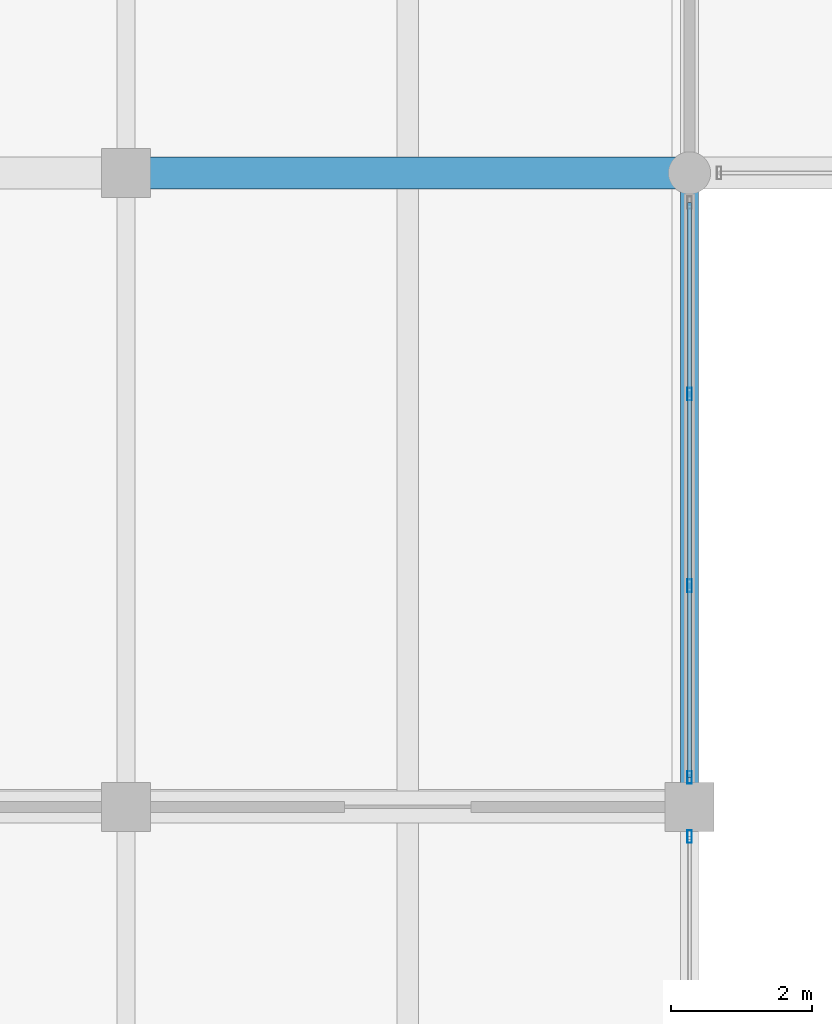
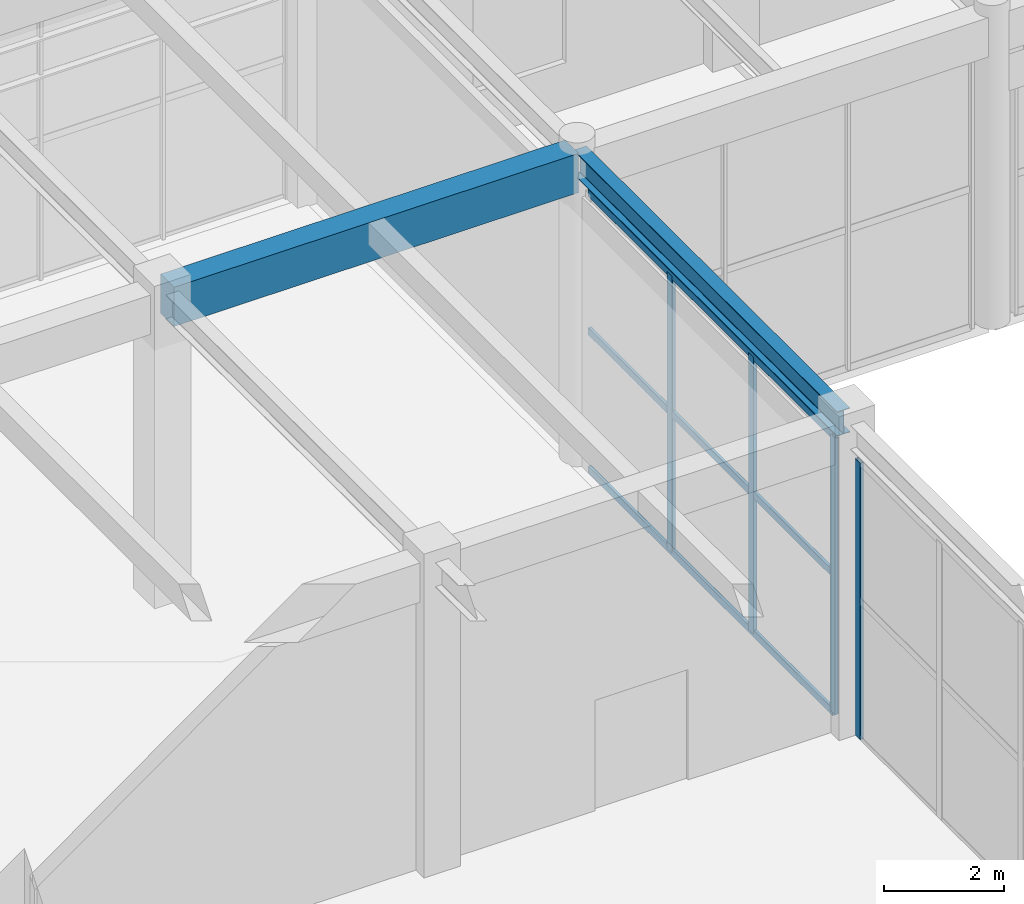
# One storey, part 34 of 163: 7 members, 2 beams, 2 elements without a shape of their own.
"""IFC4 building model written with IfcOpenShell, lengths in metres."""

from ifc_helpers import new_model, si_unit, direction, frame, origin, origin_2d, place, context, subcontext, project, spatial, rectangle, hollow_rectangle, i_section, extrude, material, material_profile, profile_set, type_object, element, aggregate, save


model = new_model("IFC4")

# Units and contexts
model_context = context("Model", 3, precision=1e-05, world=origin(), true_north=direction((0.0, 1.0)))
body_context = subcontext(model_context, "Body", "Model", "MODEL_VIEW")
ifc_project = project(units=[si_unit("LENGTHUNIT", "METRE"), si_unit("AREAUNIT", "SQUARE_METRE"), si_unit("VOLUMEUNIT", "CUBIC_METRE"), si_unit("PLANEANGLEUNIT", "RADIAN"), si_unit("MASSUNIT", "GRAM", prefix="KILO")], contexts=[model_context])

# Site, building, storey
site_placement = place(None, origin())
site = spatial("IfcSite", under=ifc_project, at=site_placement, CompositionType="ELEMENT")
building_placement = place(site_placement, origin())
building = spatial("IfcBuilding", under=site, at=building_placement, Name="Varnabhumi Central Station", CompositionType="ELEMENT")
storey_placement = place(building_placement, frame((0.0, 0.0, 9.60009765625)))
storey = spatial("IfcBuildingStorey", under=building, at=storey_placement, Name="L02", CompositionType="ELEMENT", Elevation=9.60009765625)

# Beams
ifc_material_1 = material(Name="Concrete M40", Category="concrete")
ifc_material_profile_1 = material_profile(ifc_material_1, rectangle(XDim=0.449951171875, YDim=0.800048828125, at=origin_2d()), Name="Concrete M40", Category="concrete")
ifc_profile_set_1 = profile_set([ifc_material_profile_1], Name="Concrete M40")
beam_type_1 = type_object("IfcBeamType", Name="BM-RC-450x800", PredefinedType="BEAM", material=ifc_profile_set_1)
beam_1_placement = place(storey_placement, frame((104.10009765625, 27.0, 5.949951171875), z_axis=(1.0, 0.0, 0.0), x_axis=(0.0, 1.0, 0.0)))
element("IfcBeam", 1, at=beam_1_placement, inside=storey, type_object=beam_type_1, Name="Beam L02-D:14-15", PredefinedType="BEAM", context=body_context, shape_type="SweptSolid", body=[
    extrude(rectangle(XDim=0.449951171875, YDim=0.800048828125, at=origin_2d()), origin(), (0.0, 0.0, 1.0), 7.7998046875),
])
ifc_material_2 = material(Name="Structural steel E350", Category="steel")
ifc_material_profile_2 = material_profile(ifc_material_2, i_section(OverallWidth=0.25, OverallDepth=0.5, WebThickness=0.010009765625, FlangeThickness=0.0146484375, FilletRadius=0.014892578125, at=origin_2d()), Name="Structural steel E350", Category="steel")
ifc_profile_set_2 = profile_set([ifc_material_profile_2], Name="Structural steel E350")
beam_type_2 = type_object("IfcBeamType", Name="BM-SEC-ISWB500", PredefinedType="BEAM", material=ifc_profile_set_2)
beam_2_placement = place(storey_placement, frame((112.0, 18.10009765625, 6.099853515625), z_axis=(0.0, 1.0, 0.0), x_axis=(-1.0, 0.0, 0.0)))
element("IfcBeam", 2, at=beam_2_placement, inside=storey, type_object=beam_type_2, Name="Beam L02-15:C-D", PredefinedType="BEAM", context=body_context, shape_type="SweptSolid", body=[
    extrude(i_section(OverallWidth=0.25, OverallDepth=0.5, WebThickness=0.010009765625, FlangeThickness=0.0146484375, FilletRadius=0.014892578125, at=origin_2d()), origin(), (0.0, 0.0, 1.0), 8.7998046875),
])

# Curtain wall, member
ifc_material_3 = material(Name="Anodised aluminium 6063-T6", Category="aluminium")
curtain_wall_type = type_object("IfcCurtainWallType", Name="CW-PATIO-LOGGIA-L2", PredefinedType="NOTDEFINED", material=ifc_material_3)
curtain_wall_1_placement = place(storey_placement, origin())
curtain_wall_1 = element("IfcCurtainWall", 3, at=curtain_wall_1_placement, inside=storey, type_object=curtain_wall_type, Name="Curtain Wall CW-SP2E1", PredefinedType="NOTDEFINED")
ifc_material_profile_3 = material_profile(ifc_material_3, hollow_rectangle(XDim=0.06494140625, YDim=0.179931640625, WallThickness=0.00390625, InnerFilletRadius=0.001953125, OuterFilletRadius=0.006103515625, at=origin_2d()), Name="Anodised aluminium 6063-T6", Category="aluminium")
ifc_profile_set_3 = profile_set([ifc_material_profile_3], Name="Anodised aluminium 6063-T6")
member_type_1 = type_object("IfcMemberType", Name="CW-MUL-180", PredefinedType="MULLION", material=ifc_profile_set_3)
member_1_placement = place(storey_placement, frame((112.0, 17.580078125, 0.0), z_axis=(0.0, 0.0, 1.0), x_axis=(1.0, 0.0, 0.0)))
member_1 = element("IfcMember", 4, at=member_1_placement, type_object=member_type_1, Name="Curtain Wall Mullion CW-SP2E1-M4", PredefinedType="MULLION", context=body_context, shape_type="SweptSolid", body=[
    extrude(hollow_rectangle(XDim=0.06494140625, YDim=0.179931640625, WallThickness=0.00390625, InnerFilletRadius=0.001953125, OuterFilletRadius=0.006103515625, at=origin_2d()), origin(), (0.0, 0.0, 1.0), 5.639892578125),
])
aggregate(curtain_wall_1, [member_1])

# Curtain wall, members
curtain_wall_2_placement = place(storey_placement, origin())
curtain_wall_2 = element("IfcCurtainWall", 5, at=curtain_wall_2_placement, inside=storey, type_object=curtain_wall_type, Name="Curtain Wall CW-SP2E2", PredefinedType="NOTDEFINED")
member_2_placement = place(storey_placement, frame((112.0, 18.419921875, 0.0), z_axis=(0.0, 0.0, 1.0), x_axis=(1.0, 0.0, 0.0)))
member_2 = element("IfcMember", 6, at=member_2_placement, type_object=member_type_1, Name="Curtain Wall Mullion CW-SP2E2-M1", PredefinedType="MULLION", context=body_context, shape_type="SweptSolid", body=[
    extrude(hollow_rectangle(XDim=0.06494140625, YDim=0.179931640625, WallThickness=0.00390625, InnerFilletRadius=0.001953125, OuterFilletRadius=0.006103515625, at=origin_2d()), origin(), (0.0, 0.0, 1.0), 5.639892578125),
])
member_3_placement = place(storey_placement, frame((112.0, 21.139892578125, 0.0), z_axis=(0.0, 0.0, 1.0), x_axis=(1.0, 0.0, 0.0)))
member_3 = element("IfcMember", 7, at=member_3_placement, type_object=member_type_1, Name="Curtain Wall Mullion CW-SP2E2-M2", PredefinedType="MULLION", context=body_context, shape_type="SweptSolid", body=[
    extrude(hollow_rectangle(XDim=0.06494140625, YDim=0.179931640625, WallThickness=0.00390625, InnerFilletRadius=0.001953125, OuterFilletRadius=0.006103515625, at=origin_2d()), origin(), (0.0, 0.0, 1.0), 5.639892578125),
])
member_4_placement = place(storey_placement, frame((112.0, 23.860107421875, 0.0), z_axis=(0.0, 0.0, 1.0), x_axis=(1.0, 0.0, 0.0)))
member_4 = element("IfcMember", 8, at=member_4_placement, type_object=member_type_1, Name="Curtain Wall Mullion CW-SP2E2-M3", PredefinedType="MULLION", context=body_context, shape_type="SweptSolid", body=[
    extrude(hollow_rectangle(XDim=0.06494140625, YDim=0.179931640625, WallThickness=0.00390625, InnerFilletRadius=0.001953125, OuterFilletRadius=0.006103515625, at=origin_2d()), origin(), (0.0, 0.0, 1.0), 5.639892578125),
])
ifc_material_profile_4 = material_profile(ifc_material_3, hollow_rectangle(XDim=0.06005859375, YDim=0.14990234375, WallThickness=0.00390625, InnerFilletRadius=0.001953125, OuterFilletRadius=0.006103515625, at=origin_2d()), Name="Anodised aluminium 6063-T6", Category="aluminium")
ifc_profile_set_4 = profile_set([ifc_material_profile_4], Name="Anodised aluminium 6063-T6")
member_type_2 = type_object("IfcMemberType", Name="CW-TR-150", PredefinedType="USERDEFINED", material=ifc_profile_set_4)
member_5_placement = place(storey_placement, frame((112.0, 18.419921875, 0.0), z_axis=(0.0, 1.0, 0.0), x_axis=(-1.0, 0.0, 0.0)))
member_5 = element("IfcMember", 9, at=member_5_placement, type_object=member_type_2, Name="Curtain Wall Transom CW-SP2E2-T1", ObjectType="TRANSOM", PredefinedType="USERDEFINED", context=body_context, shape_type="SweptSolid", body=[
    extrude(hollow_rectangle(XDim=0.06005859375, YDim=0.14990234375, WallThickness=0.00390625, InnerFilletRadius=0.001953125, OuterFilletRadius=0.006103515625, at=origin_2d()), origin(), (0.0, 0.0, 1.0), 8.16015625),
])
member_6_placement = place(storey_placement, frame((112.0, 18.419921875, 2.81982421875), z_axis=(0.0, 1.0, 0.0), x_axis=(-1.0, 0.0, 0.0)))
member_6 = element("IfcMember", 10, at=member_6_placement, type_object=member_type_2, Name="Curtain Wall Transom CW-SP2E2-T2", ObjectType="TRANSOM", PredefinedType="USERDEFINED", context=body_context, shape_type="SweptSolid", body=[
    extrude(hollow_rectangle(XDim=0.06005859375, YDim=0.14990234375, WallThickness=0.00390625, InnerFilletRadius=0.001953125, OuterFilletRadius=0.006103515625, at=origin_2d()), origin(), (0.0, 0.0, 1.0), 8.16015625),
])
member_7_placement = place(storey_placement, frame((112.0, 18.419921875, 5.639892578125), z_axis=(0.0, 1.0, 0.0), x_axis=(-1.0, 0.0, 0.0)))
member_7 = element("IfcMember", 11, at=member_7_placement, type_object=member_type_2, Name="Curtain Wall Transom CW-SP2E2-T3", ObjectType="TRANSOM", PredefinedType="USERDEFINED", context=body_context, shape_type="SweptSolid", body=[
    extrude(hollow_rectangle(XDim=0.06005859375, YDim=0.14990234375, WallThickness=0.00390625, InnerFilletRadius=0.001953125, OuterFilletRadius=0.006103515625, at=origin_2d()), origin(), (0.0, 0.0, 1.0), 8.16015625),
])
aggregate(curtain_wall_2, [member_2, member_3, member_4, member_5, member_6, member_7])

save(model, "model.ifc")
